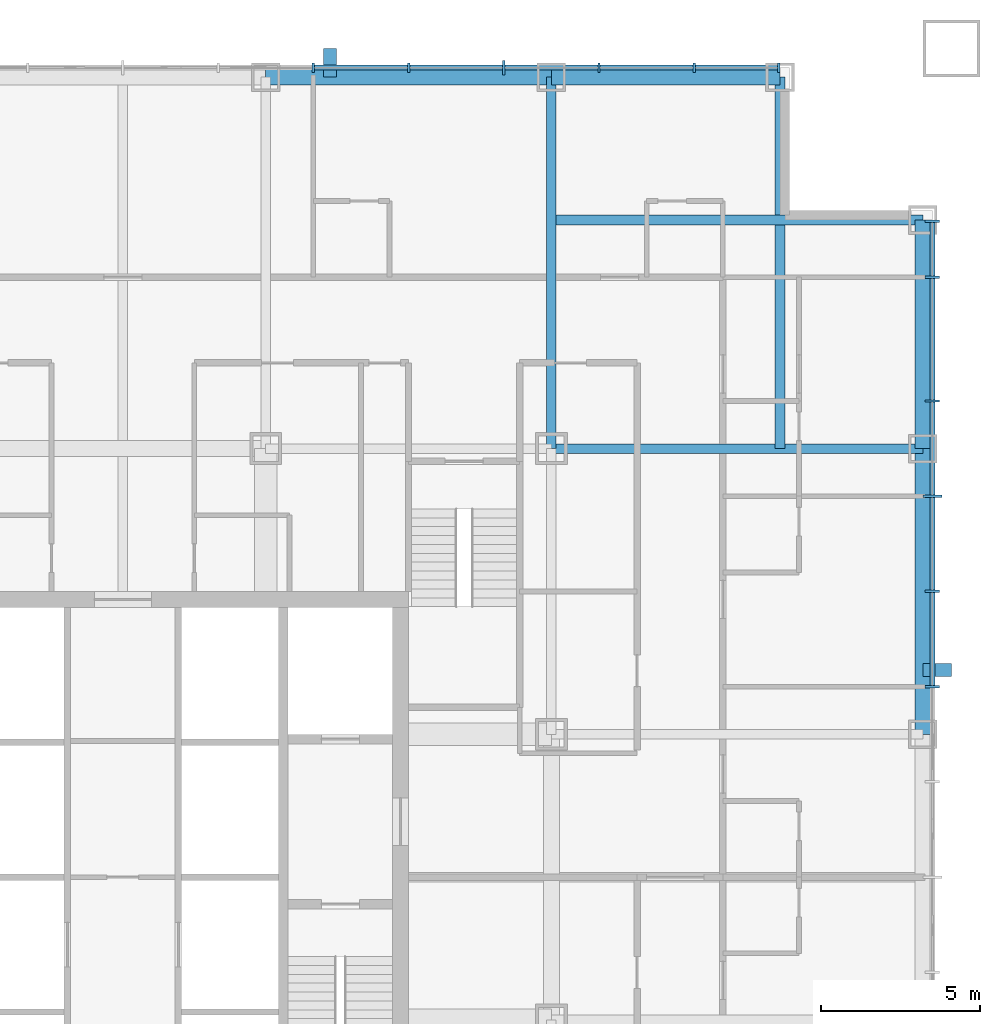
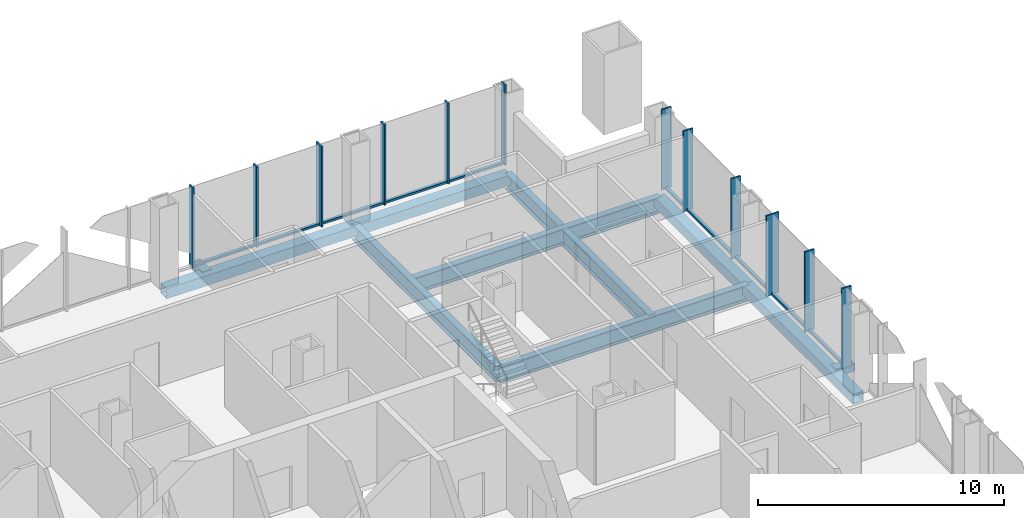
# One storey, part 5 of 13: 24 members, 8 beams, 2 elements without a shape of their own.
"""IFC4 building model written with IfcOpenShell, lengths in metres."""

from ifc_helpers import new_model, si_unit, direction, frame, origin, origin_2d, place, context, subcontext, project, spatial, rectangle, hollow_rectangle, i_section, extrude, material, layer, layer_set, material_profile, profile_set, type_object, element, aggregate, save


model = new_model("IFC4")

# Units and contexts
model_context = context("Model", 3, precision=1e-05, world=origin(), true_north=direction((0.0, 1.0)))
body_context = subcontext(model_context, "Body", "Model", "MODEL_VIEW")
ifc_project = project(units=[si_unit("LENGTHUNIT", "METRE"), si_unit("AREAUNIT", "SQUARE_METRE"), si_unit("VOLUMEUNIT", "CUBIC_METRE"), si_unit("PLANEANGLEUNIT", "RADIAN"), si_unit("MASSUNIT", "GRAM", prefix="KILO")], contexts=[model_context])

# Site, building, storey
site_placement = place(None, origin())
site = spatial("IfcSite", under=ifc_project, at=site_placement, CompositionType="ELEMENT")
building_placement = place(site_placement, origin())
building = spatial("IfcBuilding", under=site, at=building_placement, Name="Malebo Sky Hospital", CompositionType="ELEMENT")
storey_placement = place(building_placement, frame((0.0, 0.0, 75.0)))
storey = spatial("IfcBuildingStorey", under=building, at=storey_placement, Name="L17", CompositionType="ELEMENT", Elevation=75.0)

# Curtain wall, members
ifc_material_1 = material(Name="Anodised aluminium, natural silver", Category="aluminium")
ifc_layer_1 = layer(ifc_material_1, 0.25)
ifc_layer_set_1 = layer_set([ifc_layer_1], Name="WARD CURTAIN WALL NORTH AND SOUTH")
curtain_wall_type_1 = type_object("IfcCurtainWallType", Name="WARD CURTAIN WALL NORTH AND SOUTH", PredefinedType="NOTDEFINED", material=ifc_layer_set_1)
curtain_wall_1_placement = place(storey_placement, origin())
curtain_wall_1 = element("IfcCurtainWall", 1, at=curtain_wall_1_placement, inside=storey, type_object=curtain_wall_type_1, Name="NS curtain wall N", PredefinedType="NOTDEFINED")
ifc_material_profile_1 = material_profile(ifc_material_1, rectangle(XDim=0.14990234375, YDim=0.10009765625, at=origin_2d()), Name="ALUMINIUM TRANSOM 150x100")
ifc_profile_set_1 = profile_set([ifc_material_profile_1], Name="Anodised aluminium, natural silver")
member_type_1 = type_object("IfcMemberType", Name="ALUMINIUM TRANSOM 150x100", PredefinedType="USERDEFINED", material=ifc_profile_set_1)
member_1_placement = place(storey_placement, frame((66.03759765625, 87.5, 0.050048828125), z_axis=(1.0, 0.0, 0.0), x_axis=(0.0, 1.0, 0.0)))
member_1 = element("IfcMember", 2, at=member_1_placement, type_object=member_type_1, Name="Transom 10", ObjectType="TRANSOM", PredefinedType="USERDEFINED", context=body_context, shape_type="SweptSolid", body=[
    extrude(rectangle(XDim=0.14990234375, YDim=0.10009765625, at=origin_2d()), origin(), (0.0, 0.0, 1.0), 2.9248046875),
])
member_2_placement = place(storey_placement, frame((69.03759765625, 87.5, 0.050048828125), z_axis=(1.0, 0.0, 0.0), x_axis=(0.0, 1.0, 0.0)))
member_2 = element("IfcMember", 3, at=member_2_placement, type_object=member_type_1, Name="Transom 11", ObjectType="TRANSOM", PredefinedType="USERDEFINED", context=body_context, shape_type="SweptSolid", body=[
    extrude(rectangle(XDim=0.14990234375, YDim=0.10009765625, at=origin_2d()), origin(), (0.0, 0.0, 1.0), 2.9248046875),
])
member_3_placement = place(storey_placement, frame((72.03759765625, 87.5, 0.050048828125), z_axis=(1.0, 0.0, 0.0), x_axis=(0.0, 1.0, 0.0)))
member_3 = element("IfcMember", 4, at=member_3_placement, type_object=member_type_1, Name="Transom 12", ObjectType="TRANSOM", PredefinedType="USERDEFINED", context=body_context, shape_type="SweptSolid", body=[
    extrude(rectangle(XDim=0.14990234375, YDim=0.10009765625, at=origin_2d()), origin(), (0.0, 0.0, 1.0), 2.9248046875),
])
member_4_placement = place(storey_placement, frame((75.03759765625, 87.5, 0.050048828125), z_axis=(1.0, 0.0, 0.0), x_axis=(0.0, 1.0, 0.0)))
member_4 = element("IfcMember", 5, at=member_4_placement, type_object=member_type_1, Name="Transom 13", ObjectType="TRANSOM", PredefinedType="USERDEFINED", context=body_context, shape_type="SweptSolid", body=[
    extrude(rectangle(XDim=0.14990234375, YDim=0.10009765625, at=origin_2d()), origin(), (0.0, 0.0, 1.0), 2.9248046875),
])
member_5_placement = place(storey_placement, frame((78.03759765625, 87.5, 0.050048828125), z_axis=(1.0, 0.0, 0.0), x_axis=(0.0, 1.0, 0.0)))
member_5 = element("IfcMember", 6, at=member_5_placement, type_object=member_type_1, Name="Transom 14", ObjectType="TRANSOM", PredefinedType="USERDEFINED", context=body_context, shape_type="SweptSolid", body=[
    extrude(rectangle(XDim=0.14990234375, YDim=0.10009765625, at=origin_2d()), origin(), (0.0, 0.0, 1.0), 2.58740234375),
])

ifc_layer_2 = layer(ifc_material_1, 0.25)
ifc_layer_set_2 = layer_set([ifc_layer_2], Name="WARD CURTAIN WALL EAST AND WEST")
curtain_wall_type_2 = type_object("IfcCurtainWallType", Name="WARD CURTAIN WALL EAST AND WEST", PredefinedType="NOTDEFINED", material=ifc_layer_set_2)
curtain_wall_2_placement = place(storey_placement, origin())
curtain_wall_2 = element("IfcCurtainWall", 7, at=curtain_wall_2_placement, inside=storey, type_object=curtain_wall_type_2, Name="EW curtain wall E", PredefinedType="NOTDEFINED")
member_6_placement = place(storey_placement, frame((85.5, 82.625, 0.050048828125), z_axis=(0.0, -1.0, 0.0), x_axis=(1.0, 0.0, 0.0)))
member_6 = element("IfcMember", 8, at=member_6_placement, type_object=member_type_1, Name="Transom 1", ObjectType="TRANSOM", PredefinedType="USERDEFINED", context=body_context, shape_type="SweptSolid", body=[
    extrude(rectangle(XDim=0.14990234375, YDim=0.10009765625, at=origin_2d()), origin(), (0.0, 0.0, 1.0), 1.6875),
])
member_7_placement = place(storey_placement, frame((85.5, 80.862548828125, 0.050048828125), z_axis=(0.0, -1.0, 0.0), x_axis=(1.0, 0.0, 0.0)))
member_7 = element("IfcMember", 9, at=member_7_placement, type_object=member_type_1, Name="Transom 2", ObjectType="TRANSOM", PredefinedType="USERDEFINED", context=body_context, shape_type="SweptSolid", body=[
    extrude(rectangle(XDim=0.14990234375, YDim=0.10009765625, at=origin_2d()), origin(), (0.0, 0.0, 1.0), 3.824951171875),
])
member_8_placement = place(storey_placement, frame((85.5, 76.96240234375, 0.050048828125), z_axis=(0.0, -1.0, 0.0), x_axis=(1.0, 0.0, 0.0)))
member_8 = element("IfcMember", 10, at=member_8_placement, type_object=member_type_1, Name="Transom 3", ObjectType="TRANSOM", PredefinedType="USERDEFINED", context=body_context, shape_type="SweptSolid", body=[
    extrude(rectangle(XDim=0.14990234375, YDim=0.10009765625, at=origin_2d()), origin(), (0.0, 0.0, 1.0), 2.9248046875),
])
member_9_placement = place(storey_placement, frame((85.5, 73.96240234375, 0.050048828125), z_axis=(0.0, -1.0, 0.0), x_axis=(1.0, 0.0, 0.0)))
member_9 = element("IfcMember", 11, at=member_9_placement, type_object=member_type_1, Name="Transom 4", ObjectType="TRANSOM", PredefinedType="USERDEFINED", context=body_context, shape_type="SweptSolid", body=[
    extrude(rectangle(XDim=0.14990234375, YDim=0.10009765625, at=origin_2d()), origin(), (0.0, 0.0, 1.0), 2.9248046875),
])
member_10_placement = place(storey_placement, frame((85.5, 70.96240234375, 0.050048828125), z_axis=(0.0, -1.0, 0.0), x_axis=(1.0, 0.0, 0.0)))
member_10 = element("IfcMember", 12, at=member_10_placement, type_object=member_type_1, Name="Transom 5", ObjectType="TRANSOM", PredefinedType="USERDEFINED", context=body_context, shape_type="SweptSolid", body=[
    extrude(rectangle(XDim=0.14990234375, YDim=0.10009765625, at=origin_2d()), origin(), (0.0, 0.0, 1.0), 2.9248046875),
])

# Members
ifc_material_2 = material(Name="Steel S355", Category="steel")
ifc_material_profile_2 = material_profile(ifc_material_2, hollow_rectangle(XDim=0.39990234375, YDim=0.39990234375, WallThickness=0.02001953125, at=origin_2d()), Name="SHS 400x20")
ifc_profile_set_2 = profile_set([ifc_material_profile_2], Name="Steel S355")
member_type_2 = type_object("IfcMemberType", Name="BRACE STRUT SHS 400x20", PredefinedType="STRUT", material=ifc_profile_set_2)
for number, where, z_axis, x_axis, name in (
    (13, (66.52490234375, 88.10009765625, -0.39990234375), (0.0, -1.0, 0.0), (1.0, 0.0, 0.0), "Brace strut AN1 L17"),
    (14, (86.10009765625, 68.52490234375, -0.39990234375), (-1.0, 0.0, 0.0), (0.0, -1.0, 0.0), "Brace strut AE2 L17"),
):
    element("IfcMember", number, at=place(storey_placement, frame(where, z_axis=z_axis, x_axis=x_axis)), inside=storey, type_object=member_type_2, Name=name, PredefinedType="STRUT", context=body_context, shape_type="SweptSolid", body=[
        extrude(hollow_rectangle(XDim=0.39990234375, YDim=0.39990234375, WallThickness=0.02001953125, at=origin_2d()), origin(), (0.0, 0.0, 1.0), 0.900146484375),
    ])

# Member
ifc_material_profile_3 = material_profile(ifc_material_1, rectangle(XDim=0.074951171875, YDim=0.300048828125, at=origin_2d()), Name="CW1 ALUMINIUM FIN MULLION 75x300")
ifc_profile_set_3 = profile_set([ifc_material_profile_3], Name="Anodised aluminium, natural silver")
member_type_3 = type_object("IfcMemberType", Name="CW1 ALUMINIUM FIN MULLION 75x300", PredefinedType="MULLION", material=ifc_profile_set_3)
member_11_placement = place(storey_placement, frame((66.0, 87.5, 0.0), z_axis=(0.0, 0.0, 1.0), x_axis=(1.0, 0.0, 0.0)))
member_11 = element("IfcMember", 15, at=member_11_placement, type_object=member_type_3, Name="Fin mullion 10", PredefinedType="MULLION", context=body_context, shape_type="SweptSolid", body=[
    extrude(rectangle(XDim=0.074951171875, YDim=0.300048828125, at=origin_2d()), origin(), (0.0, 0.0, 1.0), 4.0),
])

member_12_placement = place(storey_placement, frame((69.0, 87.5, 0.0), z_axis=(0.0, 0.0, 1.0), x_axis=(1.0, 0.0, 0.0)))
member_12 = element("IfcMember", 16, at=member_12_placement, type_object=member_type_3, Name="Fin mullion 11", PredefinedType="MULLION", context=body_context, shape_type="SweptSolid", body=[
    extrude(rectangle(XDim=0.074951171875, YDim=0.300048828125, at=origin_2d()), origin(), (0.0, 0.0, 1.0), 4.0),
])

member_13_placement = place(storey_placement, frame((75.0, 87.5, 0.0), z_axis=(0.0, 0.0, 1.0), x_axis=(1.0, 0.0, 0.0)))
member_13 = element("IfcMember", 17, at=member_13_placement, type_object=member_type_3, Name="Fin mullion 13", PredefinedType="MULLION", context=body_context, shape_type="SweptSolid", body=[
    extrude(rectangle(XDim=0.074951171875, YDim=0.300048828125, at=origin_2d()), origin(), (0.0, 0.0, 1.0), 4.0),
])

member_14_placement = place(storey_placement, frame((78.0, 87.5, 0.0), z_axis=(0.0, 0.0, 1.0), x_axis=(1.0, 0.0, 0.0)))
member_14 = element("IfcMember", 18, at=member_14_placement, type_object=member_type_3, Name="Fin mullion 14", PredefinedType="MULLION", context=body_context, shape_type="SweptSolid", body=[
    extrude(rectangle(XDim=0.074951171875, YDim=0.300048828125, at=origin_2d()), origin(), (0.0, 0.0, 1.0), 4.0),
])

member_15_placement = place(storey_placement, frame((80.66259765625, 87.5, 0.0), z_axis=(0.0, 0.0, 1.0), x_axis=(1.0, 0.0, 0.0)))
member_15 = element("IfcMember", 19, at=member_15_placement, type_object=member_type_3, Name="Fin mullion 15", PredefinedType="MULLION", context=body_context, shape_type="SweptSolid", body=[
    extrude(rectangle(XDim=0.074951171875, YDim=0.300048828125, at=origin_2d()), origin(), (0.0, 0.0, 1.0), 4.0),
])

ifc_material_profile_4 = material_profile(ifc_material_1, rectangle(XDim=0.074951171875, YDim=0.449951171875, at=origin_2d()), Name="CW1 ALUMINIUM FIN MULLION 75x450")
ifc_profile_set_4 = profile_set([ifc_material_profile_4], Name="Anodised aluminium, natural silver")
member_type_4 = type_object("IfcMemberType", Name="CW1 ALUMINIUM FIN MULLION 75x450", PredefinedType="MULLION", material=ifc_profile_set_4)
member_16_placement = place(storey_placement, frame((72.0, 87.5, 0.0), z_axis=(0.0, 0.0, 1.0), x_axis=(1.0, 0.0, 0.0)))
member_16 = element("IfcMember", 20, at=member_16_placement, type_object=member_type_4, Name="Fin mullion 12", PredefinedType="MULLION", context=body_context, shape_type="SweptSolid", body=[
    extrude(rectangle(XDim=0.074951171875, YDim=0.449951171875, at=origin_2d()), origin(), (0.0, 0.0, 1.0), 4.0),
])

aggregate(curtain_wall_1, [member_11, member_12, member_16, member_13, member_14, member_15, member_1, member_2, member_3, member_4, member_5])

ifc_material_profile_5 = material_profile(ifc_material_1, rectangle(XDim=0.074951171875, YDim=0.449951171875, at=origin_2d()), Name="CW2 ALUMINIUM FIN MULLION 75x450")
ifc_profile_set_5 = profile_set([ifc_material_profile_5], Name="Anodised aluminium, natural silver")
member_type_5 = type_object("IfcMemberType", Name="CW2 ALUMINIUM FIN MULLION 75x450", PredefinedType="MULLION", material=ifc_profile_set_5)
member_17_placement = place(storey_placement, frame((85.5, 82.66259765625, 0.0), z_axis=(0.0, 0.0, 1.0), x_axis=(0.0, -1.0, 0.0)))
member_17 = element("IfcMember", 21, at=member_17_placement, type_object=member_type_5, Name="Fin mullion 1", PredefinedType="MULLION", context=body_context, shape_type="SweptSolid", body=[
    extrude(rectangle(XDim=0.074951171875, YDim=0.449951171875, at=origin_2d()), origin(), (0.0, 0.0, 1.0), 4.0),
])

member_18_placement = place(storey_placement, frame((85.5, 80.89990234375, 0.0), z_axis=(0.0, 0.0, 1.0), x_axis=(0.0, -1.0, 0.0)))
member_18 = element("IfcMember", 22, at=member_18_placement, type_object=member_type_5, Name="Fin mullion 2", PredefinedType="MULLION", context=body_context, shape_type="SweptSolid", body=[
    extrude(rectangle(XDim=0.074951171875, YDim=0.449951171875, at=origin_2d()), origin(), (0.0, 0.0, 1.0), 4.0),
])

member_19_placement = place(storey_placement, frame((85.5, 77.0, 0.0), z_axis=(0.0, 0.0, 1.0), x_axis=(0.0, -1.0, 0.0)))
member_19 = element("IfcMember", 23, at=member_19_placement, type_object=member_type_5, Name="Fin mullion 3", PredefinedType="MULLION", context=body_context, shape_type="SweptSolid", body=[
    extrude(rectangle(XDim=0.074951171875, YDim=0.449951171875, at=origin_2d()), origin(), (0.0, 0.0, 1.0), 4.0),
])

member_20_placement = place(storey_placement, frame((85.5, 71.0, 0.0), z_axis=(0.0, 0.0, 1.0), x_axis=(0.0, -1.0, 0.0)))
member_20 = element("IfcMember", 24, at=member_20_placement, type_object=member_type_5, Name="Fin mullion 5", PredefinedType="MULLION", context=body_context, shape_type="SweptSolid", body=[
    extrude(rectangle(XDim=0.074951171875, YDim=0.449951171875, at=origin_2d()), origin(), (0.0, 0.0, 1.0), 4.0),
])

member_21_placement = place(storey_placement, frame((85.5, 68.0, 0.0), z_axis=(0.0, 0.0, 1.0), x_axis=(0.0, -1.0, 0.0)))
member_21 = element("IfcMember", 25, at=member_21_placement, type_object=member_type_5, Name="Fin mullion 6", PredefinedType="MULLION", context=body_context, shape_type="SweptSolid", body=[
    extrude(rectangle(XDim=0.074951171875, YDim=0.449951171875, at=origin_2d()), origin(), (0.0, 0.0, 1.0), 4.0),
])

ifc_material_profile_6 = material_profile(ifc_material_1, rectangle(XDim=0.074951171875, YDim=0.60009765625, at=origin_2d()), Name="CW2 ALUMINIUM FIN MULLION 75x600")
ifc_profile_set_6 = profile_set([ifc_material_profile_6], Name="Anodised aluminium, natural silver")
member_type_6 = type_object("IfcMemberType", Name="CW2 ALUMINIUM FIN MULLION 75x600", PredefinedType="MULLION", material=ifc_profile_set_6)
member_22_placement = place(storey_placement, frame((85.5, 74.0, 0.0), z_axis=(0.0, 0.0, 1.0), x_axis=(0.0, -1.0, 0.0)))
member_22 = element("IfcMember", 26, at=member_22_placement, type_object=member_type_6, Name="Fin mullion 4", PredefinedType="MULLION", context=body_context, shape_type="SweptSolid", body=[
    extrude(rectangle(XDim=0.074951171875, YDim=0.60009765625, at=origin_2d()), origin(), (0.0, 0.0, 1.0), 4.0),
])

aggregate(curtain_wall_2, [member_17, member_18, member_19, member_22, member_20, member_21, member_6, member_7, member_8, member_9, member_10])

# Beams
ifc_material_3 = material(Name="Steel S460", Category="steel")
ifc_material_profile_7 = material_profile(ifc_material_3, hollow_rectangle(XDim=0.5, YDim=0.5, WallThickness=0.030029296875, at=origin_2d()), Name="BOX 500x500x30")
ifc_profile_set_7 = profile_set([ifc_material_profile_7], Name="Steel S460")
beam_type_1 = type_object("IfcBeamType", Name="EDGE BEAM BOX 500x500x30", PredefinedType="BEAM", material=ifc_profile_set_7)
beam_1_placement = place(storey_placement, frame((85.199951171875, 66.5, -0.5), z_axis=(0.0, 1.0, 0.0), x_axis=(-1.0, 0.0, 0.0)))
element("IfcBeam", 27, at=beam_1_placement, inside=storey, type_object=beam_type_1, Name="Beam 032 L17", PredefinedType="BEAM", context=body_context, shape_type="SweptSolid", body=[
    extrude(hollow_rectangle(XDim=0.5, YDim=0.5, WallThickness=0.030029296875, at=origin_2d()), origin(), (0.0, 0.0, 1.0), 9.0),
])
beam_2_placement = place(storey_placement, frame((85.199951171875, 75.5, -0.5), z_axis=(0.0, 1.0, 0.0), x_axis=(-1.0, 0.0, 0.0)))
element("IfcBeam", 28, at=beam_2_placement, inside=storey, type_object=beam_type_1, Name="Beam 033 L17", PredefinedType="BEAM", context=body_context, shape_type="SweptSolid", body=[
    extrude(hollow_rectangle(XDim=0.5, YDim=0.5, WallThickness=0.030029296875, at=origin_2d()), origin(), (0.0, 0.0, 1.0), 7.199951171875),
])
beam_3_placement = place(storey_placement, frame((64.5, 87.199951171875, -0.5), z_axis=(1.0, 0.0, 0.0), x_axis=(0.0, 1.0, 0.0)))
element("IfcBeam", 29, at=beam_3_placement, inside=storey, type_object=beam_type_1, Name="Beam 066 L17", PredefinedType="BEAM", context=body_context, shape_type="SweptSolid", body=[
    extrude(hollow_rectangle(XDim=0.5, YDim=0.5, WallThickness=0.030029296875, at=origin_2d()), origin(), (0.0, 0.0, 1.0), 9.0),
])
beam_4_placement = place(storey_placement, frame((73.5, 87.199951171875, -0.5), z_axis=(1.0, 0.0, 0.0), x_axis=(0.0, 1.0, 0.0)))
element("IfcBeam", 30, at=beam_4_placement, inside=storey, type_object=beam_type_1, Name="Beam 067 L17", PredefinedType="BEAM", context=body_context, shape_type="SweptSolid", body=[
    extrude(hollow_rectangle(XDim=0.5, YDim=0.5, WallThickness=0.030029296875, at=origin_2d()), origin(), (0.0, 0.0, 1.0), 7.199951171875),
])
ifc_material_profile_8 = material_profile(ifc_material_2, i_section(OverallWidth=0.300048828125, OverallDepth=0.800048828125, WebThickness=0.017578125, FlangeThickness=0.032958984375, FilletRadius=0.030029296875, at=origin_2d()), Name="HEB 800")
ifc_profile_set_8 = profile_set([ifc_material_profile_8], Name="Steel S355")
beam_type_2 = type_object("IfcBeamType", Name="FLOOR BEAM HEB 800", PredefinedType="BEAM", material=ifc_profile_set_8)
for number, where, z_axis, x_axis, name in (
    (31, (80.699951171875, 75.5, -0.64990234375), (0.0, 1.0, 0.0), (-1.0, 0.0, 0.0), "Beam 028 L17"),
    (32, (73.5, 82.699951171875, -0.64990234375), (1.0, 0.0, 0.0), (0.0, 1.0, 0.0), "Beam 062 L17"),
):
    element("IfcBeam", number, at=place(storey_placement, frame(where, z_axis=z_axis, x_axis=x_axis)), inside=storey, type_object=beam_type_2, Name=name, PredefinedType="BEAM", context=body_context, shape_type="SweptSolid", body=[
        extrude(i_section(OverallWidth=0.300048828125, OverallDepth=0.800048828125, WebThickness=0.017578125, FlangeThickness=0.032958984375, FilletRadius=0.030029296875, at=origin_2d()), origin(), (0.0, 0.0, 1.0), 11.699951171875),
    ])
ifc_material_profile_9 = material_profile(ifc_material_2, i_section(OverallWidth=0.300048828125, OverallDepth=0.800048828125, WebThickness=0.017578125, FlangeThickness=0.032958984375, FilletRadius=0.030029296875, at=origin_2d()), Name="HEB 800")
ifc_profile_set_9 = profile_set([ifc_material_profile_9], Name="Steel S355")
beam_type_3 = type_object("IfcBeamType", Name="FLOOR GIRDER HEB 800", PredefinedType="BEAM", material=ifc_profile_set_9)
for number, where, z_axis, x_axis, name in (
    (33, (73.5, 75.5, -0.64990234375), (0.0, 1.0, 0.0), (-1.0, 0.0, 0.0), "Beam 026 L17"),
    (34, (73.5, 75.5, -0.64990234375), (1.0, 0.0, 0.0), (0.0, 1.0, 0.0), "Beam 060 L17"),
):
    element("IfcBeam", number, at=place(storey_placement, frame(where, z_axis=z_axis, x_axis=x_axis)), inside=storey, type_object=beam_type_3, Name=name, PredefinedType="BEAM", context=body_context, shape_type="SweptSolid", body=[
        extrude(i_section(OverallWidth=0.300048828125, OverallDepth=0.800048828125, WebThickness=0.017578125, FlangeThickness=0.032958984375, FilletRadius=0.030029296875, at=origin_2d()), origin(), (0.0, 0.0, 1.0), 11.699951171875),
    ])

save(model, "model.ifc")
